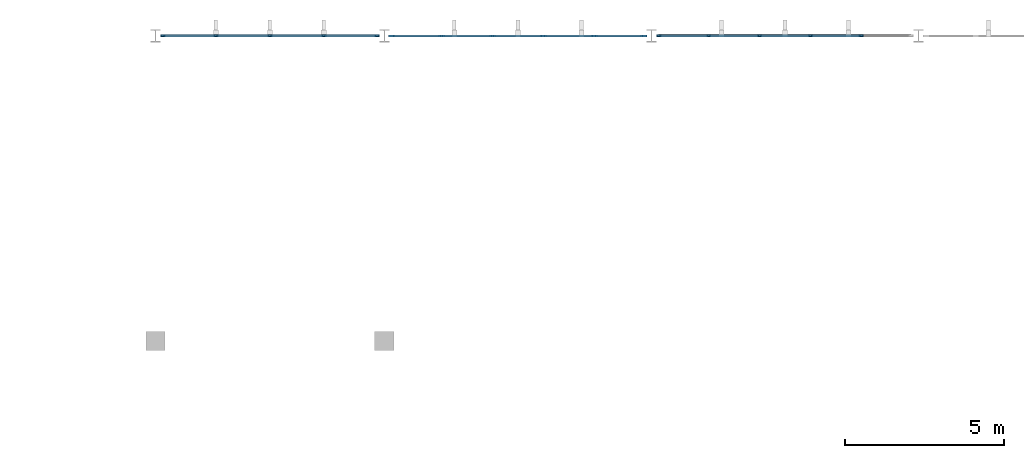
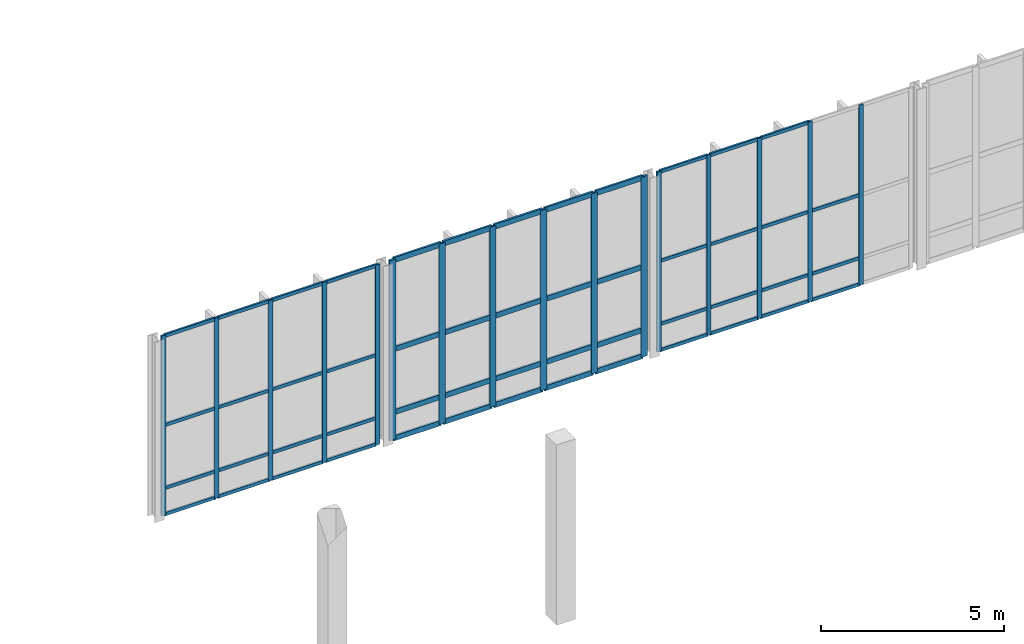
# One storey, part 51 of 105: 67 members, 3 elements without a shape of their own.
"""IFC4 building model written with IfcOpenShell, lengths in metres."""

import ifcopenshell
import ifcopenshell.guid

model = None  # the IFC model being written
_history = None  # IfcOwnerHistory: only IFC2X3 demands one
_inside = {}  # id of a spatial element -> (the spatial element, [elements in it])
_under = {}  # id of a project, library or spatial element -> (it, [spatial elements below it])
_declared = {}  # id of a project -> (the project, [libraries it declares])
_typed = {}  # id of a type object -> (the type object, [elements of that type])
_made_of = {}  # id of a material, layer set ... -> (it, [elements and type objects made of it])


def new_model(schema):
    """Start an empty IFC model of exactly this schema.

    Asked for "IFC4X3", IfcOpenShell would pick the latest addendum, in which some entities
    have other attributes; the version numbers below select the first issue.
    IFC2X3 requires an IfcOwnerHistory on every rooted entity: one is made here for all.
    """
    global model, _history
    if schema == "IFC4X3":
        model = ifcopenshell.file(schema_version=(4, 3, 0, 0))
    else:
        model = ifcopenshell.file(schema=schema)
    _inside.clear()
    _under.clear()
    _declared.clear()
    _typed.clear()
    _made_of.clear()
    _history = None
    if model.schema == "IFC2X3":
        org = make("IfcOrganization", Name="unknown")
        user = make(
            "IfcPersonAndOrganization",
            ThePerson=make("IfcPerson", FamilyName="unknown"),
            TheOrganization=org,
        )
        app = make(
            "IfcApplication",
            ApplicationDeveloper=org,
            Version="unknown",
            ApplicationFullName="unknown",
            ApplicationIdentifier="unknown",
        )
        _history = make(
            "IfcOwnerHistory",
            OwningUser=user,
            OwningApplication=app,
            ChangeAction="ADDED",
            CreationDate=0,
        )
    return model


def make(cls, **values):
    """One entity of the class cls with the attributes given. An attribute that is None is left unset."""
    return model.create_entity(
        cls, **{name: value for name, value in values.items() if value is not None}
    )


def rooted(cls, **values):
    """An entity with a GlobalId (a new one), such as an element, a storey or a relation."""
    return make(cls, GlobalId=ifcopenshell.guid.new(), OwnerHistory=_history, **values)


def si_unit(unit_type, name, prefix=None):
    """IfcSIUnit, for example si_unit("LENGTHUNIT", "METRE", prefix="MILLI")."""
    return make("IfcSIUnit", UnitType=unit_type, Prefix=prefix, Name=name)


def assignment(units):
    """IfcUnitAssignment: the units of a project."""
    return None if units is None else make("IfcUnitAssignment", Units=units)


def point(xyz):
    """IfcCartesianPoint."""
    return None if xyz is None else make("IfcCartesianPoint", Coordinates=xyz)


def direction(xyz):
    """IfcDirection."""
    return None if xyz is None else make("IfcDirection", DirectionRatios=xyz)


def frame(location, z_axis=None, x_axis=None):
    """IfcAxis2Placement3D, a coordinate frame: its origin and axes. An axis left out is left unset."""
    return make(
        "IfcAxis2Placement3D",
        Location=point(location),
        Axis=direction(z_axis),
        RefDirection=direction(x_axis),
    )


def frame_2d(location, x_axis=None):
    """IfcAxis2Placement2D, a coordinate frame in the plane: its origin and x axis."""
    return make(
        "IfcAxis2Placement2D", Location=point(location), RefDirection=direction(x_axis)
    )


def origin():
    """The frame at (0, 0, 0) with its axes left unset."""
    return frame((0.0, 0.0, 0.0))


def origin_2d():
    """The frame at (0, 0) in the plane with its x axis left unset."""
    return frame_2d((0.0, 0.0))


def place(relative_to, where):
    """IfcLocalPlacement: puts the frame where relative to a parent placement (None: the world)."""
    return make(
        "IfcLocalPlacement", PlacementRelTo=relative_to, RelativePlacement=where
    )


def context(
    kind, dimensions, precision=None, world=None, true_north=None, identifier=None
):
    """IfcGeometricRepresentationContext, for example the 3D "Model" context."""
    return make(
        "IfcGeometricRepresentationContext",
        ContextIdentifier=identifier,
        ContextType=kind,
        CoordinateSpaceDimension=dimensions,
        Precision=precision,
        WorldCoordinateSystem=world,
        TrueNorth=true_north,
    )


def subcontext(parent, identifier, kind, view, scale=None):
    """IfcGeometricRepresentationSubContext, for example "Body" below "Model"."""
    return make(
        "IfcGeometricRepresentationSubContext",
        ContextIdentifier=identifier,
        ContextType=kind,
        ParentContext=parent,
        TargetScale=scale,
        TargetView=view,
    )


def project(units=None, contexts=None):
    """IfcProject with its units and contexts."""
    return rooted(
        "IfcProject",
        Name="project",
        RepresentationContexts=contexts,
        UnitsInContext=assignment(units),
    )


def spatial(cls, under=None, at=None, **own):
    """A site, building, storey or space (cls), placed at a placement, below another one or the project."""
    s = rooted(cls, ObjectPlacement=at, **own)
    if under is not None:
        _under.setdefault(under.id(), (under, []))[1].append(s)
    return s


def profile(cls, at=None, kind="AREA", **sizes):
    """A parametric profile (cls). Its sizes go by their IFC names, for example OverallWidth=200.0."""
    return make(cls, ProfileType=kind, Position=at, **sizes)


def rectangle(**sizes):
    """IfcRectangleProfileDef."""
    return profile("IfcRectangleProfileDef", **sizes)


def extrude(swept, where, along, depth):
    """IfcExtrudedAreaSolid: the profile swept, set in the frame where, extruded along a direction by depth."""
    return make(
        "IfcExtrudedAreaSolid",
        SweptArea=swept,
        Position=where,
        ExtrudedDirection=direction(along),
        Depth=depth,
    )


def shape(context_of_items, identifier, shape_type, items):
    """IfcShapeRepresentation: the items that make up one representation, for example the "Body"."""
    return make(
        "IfcShapeRepresentation",
        ContextOfItems=context_of_items,
        RepresentationIdentifier=identifier,
        RepresentationType=shape_type,
        Items=items,
    )


def material(Name=None, Category=None):
    """IfcMaterial."""
    return make("IfcMaterial", Name=Name, Category=Category)


def material_profile(
    of_material, cross_section, Name=None, Category=None, Priority=None
):
    """IfcMaterialProfile: a cross section and its material."""
    return make(
        "IfcMaterialProfile",
        Name=Name,
        Material=of_material,
        Profile=cross_section,
        Priority=Priority,
        Category=Category,
    )


def profile_set(profiles, Name=None, composite=None):
    """IfcMaterialProfileSet."""
    return make(
        "IfcMaterialProfileSet",
        Name=Name,
        MaterialProfiles=profiles,
        CompositeProfile=composite,
    )


def made_of(thing, what):
    """Note that an element or type object is made of a material, layer set ...; save() writes the relation."""
    if what is not None:
        _made_of.setdefault(what.id(), (what, []))[1].append(thing)
    return thing


def type_object(cls, material=None, **own):
    """A type object (cls), such as IfcWallType, which elements share."""
    return made_of(rooted(cls, **own), material)


def element(
    cls,
    number,
    at=None,
    inside=None,
    cuts=None,
    type_object=None,
    material=None,
    context=None,
    identifier="Body",
    shape_type=None,
    held_by="IfcProductDefinitionShape",
    body=None,
    shapes=None,
    **own,
):
    """One element of the class cls, such as IfcWall. Its Tag is "e" and its number.

    at: its placement. inside: the storey or other place that contains it. cuts: it is an
    opening in that element (IfcRelVoidsElement). A single representation is given by context,
    identifier, shape_type and body (its items); several are given by shapes. held_by: the class
    of the entity that holds the representations. save() writes the other relations.
    """
    e = rooted(cls, Tag="e%d" % number, ObjectPlacement=at, **own)
    if body is not None:
        shapes = [shape(context, identifier, shape_type, body)]
    if shapes is not None:
        e.Representation = make(held_by, Representations=shapes)
    if inside is not None:
        _inside.setdefault(inside.id(), (inside, []))[1].append(e)
    if cuts is not None:
        rooted(
            "IfcRelVoidsElement", RelatingBuildingElement=cuts, RelatedOpeningElement=e
        )
    if type_object is not None:
        _typed.setdefault(type_object.id(), (type_object, []))[1].append(e)
    return made_of(e, material)


def aggregate(whole, parts):
    """IfcRelAggregates: a whole, such as a stair, and the parts it consists of."""
    return rooted("IfcRelAggregates", RelatingObject=whole, RelatedObjects=parts)


def save(model, path):
    """Write the relations noted so far, then the file.

    IfcRelAggregates (storeys below a building ...), IfcRelContainedInSpatialStructure (elements
    in a storey), IfcRelDefinesByType, IfcRelAssociatesMaterial and IfcRelDeclares: one each for
    every whole, place, type object, material and project.
    """
    for whole, parts in _under.values():
        aggregate(whole, parts)
    for where, things in _inside.values():
        rooted(
            "IfcRelContainedInSpatialStructure",
            RelatedElements=things,
            RelatingStructure=where,
        )
    for kind, things in _typed.values():
        rooted("IfcRelDefinesByType", RelatedObjects=things, RelatingType=kind)
    for what, things in _made_of.values():
        rooted("IfcRelAssociatesMaterial", RelatedObjects=things, RelatingMaterial=what)
    for by, libraries in _declared.values():
        rooted("IfcRelDeclares", RelatingContext=by, RelatedDefinitions=libraries)
    model.write(path)


model = new_model("IFC4")

# Units and contexts
model_context = context("Model", 3, precision=1e-05, world=origin(), true_north=direction((0.0, 1.0)))
body_context = subcontext(model_context, "Body", "Model", "MODEL_VIEW")
ifc_project = project(units=[si_unit("LENGTHUNIT", "METRE"), si_unit("AREAUNIT", "SQUARE_METRE"), si_unit("VOLUMEUNIT", "CUBIC_METRE"), si_unit("PLANEANGLEUNIT", "RADIAN"), si_unit("MASSUNIT", "GRAM", prefix="KILO")], contexts=[model_context])

# Site, building, storey
site_placement = place(None, origin())
site = spatial("IfcSite", under=ifc_project, at=site_placement, CompositionType="ELEMENT")
building_placement = place(site_placement, origin())
building = spatial("IfcBuilding", under=site, at=building_placement, Name="Tizgana Railside Sports Hall", CompositionType="ELEMENT")
storey_placement = place(building_placement, frame((0.0, 0.0, 6.0)))
storey = spatial("IfcBuildingStorey", under=building, at=storey_placement, Name="L01", CompositionType="ELEMENT", Elevation=6.0)

# Curtain wall, members
ifc_material_1 = material(Name="Anodised aluminium and glass", Category="aluminium")
curtain_wall_type_1 = type_object("IfcCurtainWallType", Name="Unitised Curtain Wall Studio 1400", PredefinedType="NOTDEFINED", material=ifc_material_1)
curtain_wall_1_placement = place(storey_placement, origin())
curtain_wall_1 = element("IfcCurtainWall", 1, at=curtain_wall_1_placement, inside=storey, type_object=curtain_wall_type_1, Name="L01 Curtain Wall CW-0042", PredefinedType="NOTDEFINED")
ifc_material_2 = material(Name="Anodised aluminium", Category="aluminium")
ifc_material_profile_1 = material_profile(ifc_material_2, rectangle(XDim=0.06005859375, YDim=0.139892578125, at=origin_2d()), Name="Mullion 60x140")
ifc_profile_set_1 = profile_set([ifc_material_profile_1], Name="Anodised aluminium")
member_type_1 = type_object("IfcMemberType", Name="Mullion 60x140", PredefinedType="MULLION", material=ifc_profile_set_1)
member_1_placement = place(storey_placement, frame((134.034912109375, 117.60009765625, 0.0), z_axis=(0.0, 0.0, 1.0), x_axis=(0.0, 1.0, 0.0)))
member_1 = element("IfcMember", 2, at=member_1_placement, type_object=member_type_1, Name="CW-03 mullion 1", PredefinedType="MULLION", context=body_context, shape_type="SweptSolid", body=[
    extrude(rectangle(XDim=0.06005859375, YDim=0.139892578125, at=origin_2d()), origin(), (0.0, 0.0, 1.0), 6.0),
])
member_2_placement = place(storey_placement, frame((135.702392578125, 117.60009765625, 0.0), z_axis=(0.0, 0.0, 1.0), x_axis=(0.0, 1.0, 0.0)))
member_2 = element("IfcMember", 3, at=member_2_placement, type_object=member_type_1, Name="CW-03 mullion 2", PredefinedType="MULLION", context=body_context, shape_type="SweptSolid", body=[
    extrude(rectangle(XDim=0.06005859375, YDim=0.139892578125, at=origin_2d()), origin(), (0.0, 0.0, 1.0), 6.0),
])
member_3_placement = place(storey_placement, frame((137.39990234375, 117.60009765625, 0.0), z_axis=(0.0, 0.0, 1.0), x_axis=(0.0, 1.0, 0.0)))
member_3 = element("IfcMember", 4, at=member_3_placement, type_object=member_type_1, Name="CW-03 mullion 3", PredefinedType="MULLION", context=body_context, shape_type="SweptSolid", body=[
    extrude(rectangle(XDim=0.06005859375, YDim=0.139892578125, at=origin_2d()), origin(), (0.0, 0.0, 1.0), 6.0),
])
member_4_placement = place(storey_placement, frame((139.097412109375, 117.60009765625, 0.0), z_axis=(0.0, 0.0, 1.0), x_axis=(0.0, 1.0, 0.0)))
member_4 = element("IfcMember", 5, at=member_4_placement, type_object=member_type_1, Name="CW-03 mullion 4", PredefinedType="MULLION", context=body_context, shape_type="SweptSolid", body=[
    extrude(rectangle(XDim=0.06005859375, YDim=0.139892578125, at=origin_2d()), origin(), (0.0, 0.0, 1.0), 6.0),
])
member_5_placement = place(storey_placement, frame((140.764892578125, 117.60009765625, 0.0), z_axis=(0.0, 0.0, 1.0), x_axis=(0.0, 1.0, 0.0)))
member_5 = element("IfcMember", 6, at=member_5_placement, type_object=member_type_1, Name="CW-03 mullion 5", PredefinedType="MULLION", context=body_context, shape_type="SweptSolid", body=[
    extrude(rectangle(XDim=0.06005859375, YDim=0.139892578125, at=origin_2d()), origin(), (0.0, 0.0, 1.0), 6.0),
])

curtain_wall_type_2 = type_object("IfcCurtainWallType", Name="Unitised Curtain Wall Concourse 1500", PredefinedType="NOTDEFINED", material=ifc_material_1)
curtain_wall_2_placement = place(storey_placement, origin())
curtain_wall_2 = element("IfcCurtainWall", 7, at=curtain_wall_2_placement, inside=storey, type_object=curtain_wall_type_2, Name="L01 Curtain Wall CW-0048", PredefinedType="NOTDEFINED")
member_6_placement = place(storey_placement, frame((149.635009765625, 117.60009765625, 0.0), z_axis=(0.0, 0.0, 1.0), x_axis=(0.0, 1.0, 0.0)))
member_6 = element("IfcMember", 8, at=member_6_placement, type_object=member_type_1, Name="CW-01 mullion 1", PredefinedType="MULLION", context=body_context, shape_type="SweptSolid", body=[
    extrude(rectangle(XDim=0.06005859375, YDim=0.139892578125, at=origin_2d()), origin(), (0.0, 0.0, 1.0), 6.0),
])
member_7_placement = place(storey_placement, frame((151.202880859375, 117.60009765625, 0.0), z_axis=(0.0, 0.0, 1.0), x_axis=(0.0, 1.0, 0.0)))
member_7 = element("IfcMember", 9, at=member_7_placement, type_object=member_type_1, Name="CW-01 mullion 2", PredefinedType="MULLION", context=body_context, shape_type="SweptSolid", body=[
    extrude(rectangle(XDim=0.06005859375, YDim=0.139892578125, at=origin_2d()), origin(), (0.0, 0.0, 1.0), 6.0),
])
member_8_placement = place(storey_placement, frame((152.801025390625, 117.60009765625, 0.0), z_axis=(0.0, 0.0, 1.0), x_axis=(0.0, 1.0, 0.0)))
member_8 = element("IfcMember", 10, at=member_8_placement, type_object=member_type_1, Name="CW-01 mullion 3", PredefinedType="MULLION", context=body_context, shape_type="SweptSolid", body=[
    extrude(rectangle(XDim=0.06005859375, YDim=0.139892578125, at=origin_2d()), origin(), (0.0, 0.0, 1.0), 6.0),
])
member_9_placement = place(storey_placement, frame((154.39892578125, 117.60009765625, 0.0), z_axis=(0.0, 0.0, 1.0), x_axis=(0.0, 1.0, 0.0)))
member_9 = element("IfcMember", 11, at=member_9_placement, type_object=member_type_1, Name="CW-01 mullion 4", PredefinedType="MULLION", context=body_context, shape_type="SweptSolid", body=[
    extrude(rectangle(XDim=0.06005859375, YDim=0.139892578125, at=origin_2d()), origin(), (0.0, 0.0, 1.0), 6.0),
])
member_10_placement = place(storey_placement, frame((155.9970703125, 117.60009765625, 0.0), z_axis=(0.0, 0.0, 1.0), x_axis=(0.0, 1.0, 0.0)))
member_10 = element("IfcMember", 12, at=member_10_placement, type_object=member_type_1, Name="CW-01 mullion 5", PredefinedType="MULLION", context=body_context, shape_type="SweptSolid", body=[
    extrude(rectangle(XDim=0.06005859375, YDim=0.139892578125, at=origin_2d()), origin(), (0.0, 0.0, 1.0), 6.0),
])

curtain_wall_type_3 = type_object("IfcCurtainWallType", Name="Unitised Curtain Wall Passage 1800", PredefinedType="NOTDEFINED", material=ifc_material_1)
curtain_wall_3_placement = place(storey_placement, origin())
curtain_wall_3 = element("IfcCurtainWall", 13, at=curtain_wall_3_placement, inside=storey, type_object=curtain_wall_type_3, Name="L01 Curtain Wall CW-0045", PredefinedType="NOTDEFINED")
ifc_material_profile_2 = material_profile(ifc_material_2, rectangle(XDim=0.06494140625, YDim=0.199951171875, at=origin_2d()), Name="Mullion 65x200")
ifc_profile_set_2 = profile_set([ifc_material_profile_2], Name="Anodised aluminium")
member_type_2 = type_object("IfcMemberType", Name="Mullion 65x200", PredefinedType="MULLION", material=ifc_profile_set_2)
member_11_placement = place(storey_placement, frame((141.237548828125, 117.60009765625, 0.0), z_axis=(0.0, 0.0, 1.0), x_axis=(0.0, 1.0, 0.0)))
member_11 = element("IfcMember", 14, at=member_11_placement, type_object=member_type_2, Name="CW-06 mullion 1", PredefinedType="MULLION", context=body_context, shape_type="SweptSolid", body=[
    extrude(rectangle(XDim=0.06494140625, YDim=0.199951171875, at=origin_2d()), origin(), (0.0, 0.0, 1.0), 6.0),
])
member_12_placement = place(storey_placement, frame((142.802978515625, 117.60009765625, 0.0), z_axis=(0.0, 0.0, 1.0), x_axis=(0.0, 1.0, 0.0)))
member_12 = element("IfcMember", 15, at=member_12_placement, type_object=member_type_2, Name="CW-06 mullion 2", PredefinedType="MULLION", context=body_context, shape_type="SweptSolid", body=[
    extrude(rectangle(XDim=0.06494140625, YDim=0.199951171875, at=origin_2d()), origin(), (0.0, 0.0, 1.0), 6.0),
])
member_13_placement = place(storey_placement, frame((144.40087890625, 117.60009765625, 0.0), z_axis=(0.0, 0.0, 1.0), x_axis=(0.0, 1.0, 0.0)))
member_13 = element("IfcMember", 16, at=member_13_placement, type_object=member_type_2, Name="CW-06 mullion 3", PredefinedType="MULLION", context=body_context, shape_type="SweptSolid", body=[
    extrude(rectangle(XDim=0.06494140625, YDim=0.199951171875, at=origin_2d()), origin(), (0.0, 0.0, 1.0), 6.0),
])
member_14_placement = place(storey_placement, frame((145.9990234375, 117.60009765625, 0.0), z_axis=(0.0, 0.0, 1.0), x_axis=(0.0, 1.0, 0.0)))
member_14 = element("IfcMember", 17, at=member_14_placement, type_object=member_type_2, Name="CW-06 mullion 4", PredefinedType="MULLION", context=body_context, shape_type="SweptSolid", body=[
    extrude(rectangle(XDim=0.06494140625, YDim=0.199951171875, at=origin_2d()), origin(), (0.0, 0.0, 1.0), 6.0),
])
member_15_placement = place(storey_placement, frame((147.596923828125, 117.60009765625, 0.0), z_axis=(0.0, 0.0, 1.0), x_axis=(0.0, 1.0, 0.0)))
member_15 = element("IfcMember", 18, at=member_15_placement, type_object=member_type_2, Name="CW-06 mullion 5", PredefinedType="MULLION", context=body_context, shape_type="SweptSolid", body=[
    extrude(rectangle(XDim=0.06494140625, YDim=0.199951171875, at=origin_2d()), origin(), (0.0, 0.0, 1.0), 6.0),
])
member_16_placement = place(storey_placement, frame((149.16259765625, 117.60009765625, 0.0), z_axis=(0.0, 0.0, 1.0), x_axis=(0.0, 1.0, 0.0)))
member_16 = element("IfcMember", 19, at=member_16_placement, type_object=member_type_2, Name="CW-06 mullion 6", PredefinedType="MULLION", context=body_context, shape_type="SweptSolid", body=[
    extrude(rectangle(XDim=0.06494140625, YDim=0.199951171875, at=origin_2d()), origin(), (0.0, 0.0, 1.0), 6.0),
])

# Member
ifc_material_profile_3 = material_profile(ifc_material_2, rectangle(XDim=0.06005859375, YDim=0.110107421875, at=origin_2d()), Name="Transom 60x110")
ifc_profile_set_3 = profile_set([ifc_material_profile_3], Name="Anodised aluminium")
member_type_3 = type_object("IfcMemberType", Name="Transom 60x110", PredefinedType="USERDEFINED", material=ifc_profile_set_3)
member_17_placement = place(storey_placement, frame((134.06494140625, 117.60009765625, 0.030029296875), z_axis=(1.0, 0.0, 0.0), x_axis=(0.0, 1.0, 0.0)))
member_17 = element("IfcMember", 20, at=member_17_placement, type_object=member_type_3, Name="CW-03 transom 1.1", ObjectType="TRANSOM", PredefinedType="USERDEFINED", context=body_context, shape_type="SweptSolid", body=[
    extrude(rectangle(XDim=0.06005859375, YDim=0.110107421875, at=origin_2d()), origin(), (0.0, 0.0, 1.0), 1.607666015625),
])

member_18_placement = place(storey_placement, frame((134.06494140625, 117.60009765625, 0.89990234375), z_axis=(1.0, 0.0, 0.0), x_axis=(0.0, 1.0, 0.0)))
member_18 = element("IfcMember", 21, at=member_18_placement, type_object=member_type_3, Name="CW-03 transom 1.2", ObjectType="TRANSOM", PredefinedType="USERDEFINED", context=body_context, shape_type="SweptSolid", body=[
    extrude(rectangle(XDim=0.06005859375, YDim=0.110107421875, at=origin_2d()), origin(), (0.0, 0.0, 1.0), 1.607666015625),
])

member_19_placement = place(storey_placement, frame((134.06494140625, 117.60009765625, 3.0), z_axis=(1.0, 0.0, 0.0), x_axis=(0.0, 1.0, 0.0)))
member_19 = element("IfcMember", 22, at=member_19_placement, type_object=member_type_3, Name="CW-03 transom 1.3", ObjectType="TRANSOM", PredefinedType="USERDEFINED", context=body_context, shape_type="SweptSolid", body=[
    extrude(rectangle(XDim=0.06005859375, YDim=0.110107421875, at=origin_2d()), origin(), (0.0, 0.0, 1.0), 1.607666015625),
])

member_20_placement = place(storey_placement, frame((134.06494140625, 117.60009765625, 5.969970703125), z_axis=(1.0, 0.0, 0.0), x_axis=(0.0, 1.0, 0.0)))
member_20 = element("IfcMember", 23, at=member_20_placement, type_object=member_type_3, Name="CW-03 transom 1.4", ObjectType="TRANSOM", PredefinedType="USERDEFINED", context=body_context, shape_type="SweptSolid", body=[
    extrude(rectangle(XDim=0.06005859375, YDim=0.110107421875, at=origin_2d()), origin(), (0.0, 0.0, 1.0), 1.607666015625),
])

member_21_placement = place(storey_placement, frame((135.732421875, 117.60009765625, 0.030029296875), z_axis=(1.0, 0.0, 0.0), x_axis=(0.0, 1.0, 0.0)))
member_21 = element("IfcMember", 24, at=member_21_placement, type_object=member_type_3, Name="CW-03 transom 2.1", ObjectType="TRANSOM", PredefinedType="USERDEFINED", context=body_context, shape_type="SweptSolid", body=[
    extrude(rectangle(XDim=0.06005859375, YDim=0.110107421875, at=origin_2d()), origin(), (0.0, 0.0, 1.0), 1.6376953125),
])

member_22_placement = place(storey_placement, frame((135.732421875, 117.60009765625, 0.89990234375), z_axis=(1.0, 0.0, 0.0), x_axis=(0.0, 1.0, 0.0)))
member_22 = element("IfcMember", 25, at=member_22_placement, type_object=member_type_3, Name="CW-03 transom 2.2", ObjectType="TRANSOM", PredefinedType="USERDEFINED", context=body_context, shape_type="SweptSolid", body=[
    extrude(rectangle(XDim=0.06005859375, YDim=0.110107421875, at=origin_2d()), origin(), (0.0, 0.0, 1.0), 1.6376953125),
])

member_23_placement = place(storey_placement, frame((135.732421875, 117.60009765625, 3.0), z_axis=(1.0, 0.0, 0.0), x_axis=(0.0, 1.0, 0.0)))
member_23 = element("IfcMember", 26, at=member_23_placement, type_object=member_type_3, Name="CW-03 transom 2.3", ObjectType="TRANSOM", PredefinedType="USERDEFINED", context=body_context, shape_type="SweptSolid", body=[
    extrude(rectangle(XDim=0.06005859375, YDim=0.110107421875, at=origin_2d()), origin(), (0.0, 0.0, 1.0), 1.6376953125),
])

member_24_placement = place(storey_placement, frame((135.732421875, 117.60009765625, 5.969970703125), z_axis=(1.0, 0.0, 0.0), x_axis=(0.0, 1.0, 0.0)))
member_24 = element("IfcMember", 27, at=member_24_placement, type_object=member_type_3, Name="CW-03 transom 2.4", ObjectType="TRANSOM", PredefinedType="USERDEFINED", context=body_context, shape_type="SweptSolid", body=[
    extrude(rectangle(XDim=0.06005859375, YDim=0.110107421875, at=origin_2d()), origin(), (0.0, 0.0, 1.0), 1.6376953125),
])

member_25_placement = place(storey_placement, frame((137.429931640625, 117.60009765625, 0.030029296875), z_axis=(1.0, 0.0, 0.0), x_axis=(0.0, 1.0, 0.0)))
member_25 = element("IfcMember", 28, at=member_25_placement, type_object=member_type_3, Name="CW-03 transom 3.1", ObjectType="TRANSOM", PredefinedType="USERDEFINED", context=body_context, shape_type="SweptSolid", body=[
    extrude(rectangle(XDim=0.06005859375, YDim=0.110107421875, at=origin_2d()), origin(), (0.0, 0.0, 1.0), 1.637451171875),
])

member_26_placement = place(storey_placement, frame((137.429931640625, 117.60009765625, 0.89990234375), z_axis=(1.0, 0.0, 0.0), x_axis=(0.0, 1.0, 0.0)))
member_26 = element("IfcMember", 29, at=member_26_placement, type_object=member_type_3, Name="CW-03 transom 3.2", ObjectType="TRANSOM", PredefinedType="USERDEFINED", context=body_context, shape_type="SweptSolid", body=[
    extrude(rectangle(XDim=0.06005859375, YDim=0.110107421875, at=origin_2d()), origin(), (0.0, 0.0, 1.0), 1.637451171875),
])

member_27_placement = place(storey_placement, frame((137.429931640625, 117.60009765625, 3.0), z_axis=(1.0, 0.0, 0.0), x_axis=(0.0, 1.0, 0.0)))
member_27 = element("IfcMember", 30, at=member_27_placement, type_object=member_type_3, Name="CW-03 transom 3.3", ObjectType="TRANSOM", PredefinedType="USERDEFINED", context=body_context, shape_type="SweptSolid", body=[
    extrude(rectangle(XDim=0.06005859375, YDim=0.110107421875, at=origin_2d()), origin(), (0.0, 0.0, 1.0), 1.637451171875),
])

member_28_placement = place(storey_placement, frame((137.429931640625, 117.60009765625, 5.969970703125), z_axis=(1.0, 0.0, 0.0), x_axis=(0.0, 1.0, 0.0)))
member_28 = element("IfcMember", 31, at=member_28_placement, type_object=member_type_3, Name="CW-03 transom 3.4", ObjectType="TRANSOM", PredefinedType="USERDEFINED", context=body_context, shape_type="SweptSolid", body=[
    extrude(rectangle(XDim=0.06005859375, YDim=0.110107421875, at=origin_2d()), origin(), (0.0, 0.0, 1.0), 1.637451171875),
])

member_29_placement = place(storey_placement, frame((139.12744140625, 117.60009765625, 0.030029296875), z_axis=(1.0, 0.0, 0.0), x_axis=(0.0, 1.0, 0.0)))
member_29 = element("IfcMember", 32, at=member_29_placement, type_object=member_type_3, Name="CW-03 transom 4.1", ObjectType="TRANSOM", PredefinedType="USERDEFINED", context=body_context, shape_type="SweptSolid", body=[
    extrude(rectangle(XDim=0.06005859375, YDim=0.110107421875, at=origin_2d()), origin(), (0.0, 0.0, 1.0), 1.607666015625),
])

member_30_placement = place(storey_placement, frame((139.12744140625, 117.60009765625, 0.89990234375), z_axis=(1.0, 0.0, 0.0), x_axis=(0.0, 1.0, 0.0)))
member_30 = element("IfcMember", 33, at=member_30_placement, type_object=member_type_3, Name="CW-03 transom 4.2", ObjectType="TRANSOM", PredefinedType="USERDEFINED", context=body_context, shape_type="SweptSolid", body=[
    extrude(rectangle(XDim=0.06005859375, YDim=0.110107421875, at=origin_2d()), origin(), (0.0, 0.0, 1.0), 1.607666015625),
])

member_31_placement = place(storey_placement, frame((139.12744140625, 117.60009765625, 3.0), z_axis=(1.0, 0.0, 0.0), x_axis=(0.0, 1.0, 0.0)))
member_31 = element("IfcMember", 34, at=member_31_placement, type_object=member_type_3, Name="CW-03 transom 4.3", ObjectType="TRANSOM", PredefinedType="USERDEFINED", context=body_context, shape_type="SweptSolid", body=[
    extrude(rectangle(XDim=0.06005859375, YDim=0.110107421875, at=origin_2d()), origin(), (0.0, 0.0, 1.0), 1.607666015625),
])

member_32_placement = place(storey_placement, frame((139.12744140625, 117.60009765625, 5.969970703125), z_axis=(1.0, 0.0, 0.0), x_axis=(0.0, 1.0, 0.0)))
member_32 = element("IfcMember", 35, at=member_32_placement, type_object=member_type_3, Name="CW-03 transom 4.4", ObjectType="TRANSOM", PredefinedType="USERDEFINED", context=body_context, shape_type="SweptSolid", body=[
    extrude(rectangle(XDim=0.06005859375, YDim=0.110107421875, at=origin_2d()), origin(), (0.0, 0.0, 1.0), 1.607666015625),
])

aggregate(curtain_wall_1, [member_1, member_2, member_3, member_4, member_5, member_17, member_18, member_19, member_20, member_21, member_22, member_23, member_24, member_25, member_26, member_27, member_28, member_29, member_30, member_31, member_32])

member_33_placement = place(storey_placement, frame((149.6650390625, 117.60009765625, 0.030029296875), z_axis=(1.0, 0.0, 0.0), x_axis=(0.0, 1.0, 0.0)))
member_33 = element("IfcMember", 36, at=member_33_placement, type_object=member_type_3, Name="CW-01 transom 1.1", ObjectType="TRANSOM", PredefinedType="USERDEFINED", context=body_context, shape_type="SweptSolid", body=[
    extrude(rectangle(XDim=0.06005859375, YDim=0.110107421875, at=origin_2d()), origin(), (0.0, 0.0, 1.0), 1.508056640625),
])

member_34_placement = place(storey_placement, frame((149.6650390625, 117.60009765625, 0.89990234375), z_axis=(1.0, 0.0, 0.0), x_axis=(0.0, 1.0, 0.0)))
member_34 = element("IfcMember", 37, at=member_34_placement, type_object=member_type_3, Name="CW-01 transom 1.2", ObjectType="TRANSOM", PredefinedType="USERDEFINED", context=body_context, shape_type="SweptSolid", body=[
    extrude(rectangle(XDim=0.06005859375, YDim=0.110107421875, at=origin_2d()), origin(), (0.0, 0.0, 1.0), 1.508056640625),
])

member_35_placement = place(storey_placement, frame((149.6650390625, 117.60009765625, 3.0), z_axis=(1.0, 0.0, 0.0), x_axis=(0.0, 1.0, 0.0)))
member_35 = element("IfcMember", 38, at=member_35_placement, type_object=member_type_3, Name="CW-01 transom 1.3", ObjectType="TRANSOM", PredefinedType="USERDEFINED", context=body_context, shape_type="SweptSolid", body=[
    extrude(rectangle(XDim=0.06005859375, YDim=0.110107421875, at=origin_2d()), origin(), (0.0, 0.0, 1.0), 1.508056640625),
])

member_36_placement = place(storey_placement, frame((149.6650390625, 117.60009765625, 5.969970703125), z_axis=(1.0, 0.0, 0.0), x_axis=(0.0, 1.0, 0.0)))
member_36 = element("IfcMember", 39, at=member_36_placement, type_object=member_type_3, Name="CW-01 transom 1.4", ObjectType="TRANSOM", PredefinedType="USERDEFINED", context=body_context, shape_type="SweptSolid", body=[
    extrude(rectangle(XDim=0.06005859375, YDim=0.110107421875, at=origin_2d()), origin(), (0.0, 0.0, 1.0), 1.508056640625),
])

member_37_placement = place(storey_placement, frame((151.23291015625, 117.60009765625, 0.030029296875), z_axis=(1.0, 0.0, 0.0), x_axis=(0.0, 1.0, 0.0)))
member_37 = element("IfcMember", 40, at=member_37_placement, type_object=member_type_3, Name="CW-01 transom 2.1", ObjectType="TRANSOM", PredefinedType="USERDEFINED", context=body_context, shape_type="SweptSolid", body=[
    extrude(rectangle(XDim=0.06005859375, YDim=0.110107421875, at=origin_2d()), origin(), (0.0, 0.0, 1.0), 1.5380859375),
])

member_38_placement = place(storey_placement, frame((151.23291015625, 117.60009765625, 0.89990234375), z_axis=(1.0, 0.0, 0.0), x_axis=(0.0, 1.0, 0.0)))
member_38 = element("IfcMember", 41, at=member_38_placement, type_object=member_type_3, Name="CW-01 transom 2.2", ObjectType="TRANSOM", PredefinedType="USERDEFINED", context=body_context, shape_type="SweptSolid", body=[
    extrude(rectangle(XDim=0.06005859375, YDim=0.110107421875, at=origin_2d()), origin(), (0.0, 0.0, 1.0), 1.5380859375),
])

member_39_placement = place(storey_placement, frame((151.23291015625, 117.60009765625, 3.0), z_axis=(1.0, 0.0, 0.0), x_axis=(0.0, 1.0, 0.0)))
member_39 = element("IfcMember", 42, at=member_39_placement, type_object=member_type_3, Name="CW-01 transom 2.3", ObjectType="TRANSOM", PredefinedType="USERDEFINED", context=body_context, shape_type="SweptSolid", body=[
    extrude(rectangle(XDim=0.06005859375, YDim=0.110107421875, at=origin_2d()), origin(), (0.0, 0.0, 1.0), 1.5380859375),
])

member_40_placement = place(storey_placement, frame((151.23291015625, 117.60009765625, 5.969970703125), z_axis=(1.0, 0.0, 0.0), x_axis=(0.0, 1.0, 0.0)))
member_40 = element("IfcMember", 43, at=member_40_placement, type_object=member_type_3, Name="CW-01 transom 2.4", ObjectType="TRANSOM", PredefinedType="USERDEFINED", context=body_context, shape_type="SweptSolid", body=[
    extrude(rectangle(XDim=0.06005859375, YDim=0.110107421875, at=origin_2d()), origin(), (0.0, 0.0, 1.0), 1.5380859375),
])

member_41_placement = place(storey_placement, frame((152.8310546875, 117.60009765625, 0.030029296875), z_axis=(1.0, 0.0, 0.0), x_axis=(0.0, 1.0, 0.0)))
member_41 = element("IfcMember", 44, at=member_41_placement, type_object=member_type_3, Name="CW-01 transom 3.1", ObjectType="TRANSOM", PredefinedType="USERDEFINED", context=body_context, shape_type="SweptSolid", body=[
    extrude(rectangle(XDim=0.06005859375, YDim=0.110107421875, at=origin_2d()), origin(), (0.0, 0.0, 1.0), 1.537841796875),
])

member_42_placement = place(storey_placement, frame((152.8310546875, 117.60009765625, 0.89990234375), z_axis=(1.0, 0.0, 0.0), x_axis=(0.0, 1.0, 0.0)))
member_42 = element("IfcMember", 45, at=member_42_placement, type_object=member_type_3, Name="CW-01 transom 3.2", ObjectType="TRANSOM", PredefinedType="USERDEFINED", context=body_context, shape_type="SweptSolid", body=[
    extrude(rectangle(XDim=0.06005859375, YDim=0.110107421875, at=origin_2d()), origin(), (0.0, 0.0, 1.0), 1.537841796875),
])

member_43_placement = place(storey_placement, frame((152.8310546875, 117.60009765625, 3.0), z_axis=(1.0, 0.0, 0.0), x_axis=(0.0, 1.0, 0.0)))
member_43 = element("IfcMember", 46, at=member_43_placement, type_object=member_type_3, Name="CW-01 transom 3.3", ObjectType="TRANSOM", PredefinedType="USERDEFINED", context=body_context, shape_type="SweptSolid", body=[
    extrude(rectangle(XDim=0.06005859375, YDim=0.110107421875, at=origin_2d()), origin(), (0.0, 0.0, 1.0), 1.537841796875),
])

member_44_placement = place(storey_placement, frame((152.8310546875, 117.60009765625, 5.969970703125), z_axis=(1.0, 0.0, 0.0), x_axis=(0.0, 1.0, 0.0)))
member_44 = element("IfcMember", 47, at=member_44_placement, type_object=member_type_3, Name="CW-01 transom 3.4", ObjectType="TRANSOM", PredefinedType="USERDEFINED", context=body_context, shape_type="SweptSolid", body=[
    extrude(rectangle(XDim=0.06005859375, YDim=0.110107421875, at=origin_2d()), origin(), (0.0, 0.0, 1.0), 1.537841796875),
])

member_45_placement = place(storey_placement, frame((154.428955078125, 117.60009765625, 0.030029296875), z_axis=(1.0, 0.0, 0.0), x_axis=(0.0, 1.0, 0.0)))
member_45 = element("IfcMember", 48, at=member_45_placement, type_object=member_type_3, Name="CW-01 transom 4.1", ObjectType="TRANSOM", PredefinedType="USERDEFINED", context=body_context, shape_type="SweptSolid", body=[
    extrude(rectangle(XDim=0.06005859375, YDim=0.110107421875, at=origin_2d()), origin(), (0.0, 0.0, 1.0), 1.5380859375),
])

member_46_placement = place(storey_placement, frame((154.428955078125, 117.60009765625, 0.89990234375), z_axis=(1.0, 0.0, 0.0), x_axis=(0.0, 1.0, 0.0)))
member_46 = element("IfcMember", 49, at=member_46_placement, type_object=member_type_3, Name="CW-01 transom 4.2", ObjectType="TRANSOM", PredefinedType="USERDEFINED", context=body_context, shape_type="SweptSolid", body=[
    extrude(rectangle(XDim=0.06005859375, YDim=0.110107421875, at=origin_2d()), origin(), (0.0, 0.0, 1.0), 1.5380859375),
])

member_47_placement = place(storey_placement, frame((154.428955078125, 117.60009765625, 3.0), z_axis=(1.0, 0.0, 0.0), x_axis=(0.0, 1.0, 0.0)))
member_47 = element("IfcMember", 50, at=member_47_placement, type_object=member_type_3, Name="CW-01 transom 4.3", ObjectType="TRANSOM", PredefinedType="USERDEFINED", context=body_context, shape_type="SweptSolid", body=[
    extrude(rectangle(XDim=0.06005859375, YDim=0.110107421875, at=origin_2d()), origin(), (0.0, 0.0, 1.0), 1.5380859375),
])

aggregate(curtain_wall_2, [member_6, member_7, member_8, member_9, member_10, member_33, member_34, member_35, member_36, member_37, member_38, member_39, member_40, member_41, member_42, member_43, member_44, member_45, member_46, member_47])

ifc_material_profile_4 = material_profile(ifc_material_2, rectangle(XDim=0.06494140625, YDim=0.169921875, at=origin_2d()), Name="Transom 65x170")
ifc_profile_set_4 = profile_set([ifc_material_profile_4], Name="Anodised aluminium")
member_type_4 = type_object("IfcMemberType", Name="Transom 65x170", PredefinedType="USERDEFINED", material=ifc_profile_set_4)
member_48_placement = place(storey_placement, frame((141.27001953125, 117.60009765625, 0.032470703125), z_axis=(1.0, 0.0, 0.0), x_axis=(0.0, 1.0, 0.0)))
member_48 = element("IfcMember", 51, at=member_48_placement, type_object=member_type_4, Name="CW-06 transom 1.1", ObjectType="TRANSOM", PredefinedType="USERDEFINED", context=body_context, shape_type="SweptSolid", body=[
    extrude(rectangle(XDim=0.06494140625, YDim=0.169921875, at=origin_2d()), origin(), (0.0, 0.0, 1.0), 1.50048828125),
])

member_49_placement = place(storey_placement, frame((141.27001953125, 117.60009765625, 0.89990234375), z_axis=(1.0, 0.0, 0.0), x_axis=(0.0, 1.0, 0.0)))
member_49 = element("IfcMember", 52, at=member_49_placement, type_object=member_type_4, Name="CW-06 transom 1.2", ObjectType="TRANSOM", PredefinedType="USERDEFINED", context=body_context, shape_type="SweptSolid", body=[
    extrude(rectangle(XDim=0.06494140625, YDim=0.169921875, at=origin_2d()), origin(), (0.0, 0.0, 1.0), 1.50048828125),
])

member_50_placement = place(storey_placement, frame((141.27001953125, 117.60009765625, 3.0), z_axis=(1.0, 0.0, 0.0), x_axis=(0.0, 1.0, 0.0)))
member_50 = element("IfcMember", 53, at=member_50_placement, type_object=member_type_4, Name="CW-06 transom 1.3", ObjectType="TRANSOM", PredefinedType="USERDEFINED", context=body_context, shape_type="SweptSolid", body=[
    extrude(rectangle(XDim=0.06494140625, YDim=0.169921875, at=origin_2d()), origin(), (0.0, 0.0, 1.0), 1.50048828125),
])

member_51_placement = place(storey_placement, frame((141.27001953125, 117.60009765625, 5.967529296875), z_axis=(1.0, 0.0, 0.0), x_axis=(0.0, 1.0, 0.0)))
member_51 = element("IfcMember", 54, at=member_51_placement, type_object=member_type_4, Name="CW-06 transom 1.4", ObjectType="TRANSOM", PredefinedType="USERDEFINED", context=body_context, shape_type="SweptSolid", body=[
    extrude(rectangle(XDim=0.06494140625, YDim=0.169921875, at=origin_2d()), origin(), (0.0, 0.0, 1.0), 1.50048828125),
])

member_52_placement = place(storey_placement, frame((142.83544921875, 117.60009765625, 0.032470703125), z_axis=(1.0, 0.0, 0.0), x_axis=(0.0, 1.0, 0.0)))
member_52 = element("IfcMember", 55, at=member_52_placement, type_object=member_type_4, Name="CW-06 transom 2.1", ObjectType="TRANSOM", PredefinedType="USERDEFINED", context=body_context, shape_type="SweptSolid", body=[
    extrude(rectangle(XDim=0.06494140625, YDim=0.169921875, at=origin_2d()), origin(), (0.0, 0.0, 1.0), 1.532958984375),
])

member_53_placement = place(storey_placement, frame((142.83544921875, 117.60009765625, 0.89990234375), z_axis=(1.0, 0.0, 0.0), x_axis=(0.0, 1.0, 0.0)))
member_53 = element("IfcMember", 56, at=member_53_placement, type_object=member_type_4, Name="CW-06 transom 2.2", ObjectType="TRANSOM", PredefinedType="USERDEFINED", context=body_context, shape_type="SweptSolid", body=[
    extrude(rectangle(XDim=0.06494140625, YDim=0.169921875, at=origin_2d()), origin(), (0.0, 0.0, 1.0), 1.532958984375),
])

member_54_placement = place(storey_placement, frame((142.83544921875, 117.60009765625, 3.0), z_axis=(1.0, 0.0, 0.0), x_axis=(0.0, 1.0, 0.0)))
member_54 = element("IfcMember", 57, at=member_54_placement, type_object=member_type_4, Name="CW-06 transom 2.3", ObjectType="TRANSOM", PredefinedType="USERDEFINED", context=body_context, shape_type="SweptSolid", body=[
    extrude(rectangle(XDim=0.06494140625, YDim=0.169921875, at=origin_2d()), origin(), (0.0, 0.0, 1.0), 1.532958984375),
])

member_55_placement = place(storey_placement, frame((142.83544921875, 117.60009765625, 5.967529296875), z_axis=(1.0, 0.0, 0.0), x_axis=(0.0, 1.0, 0.0)))
member_55 = element("IfcMember", 58, at=member_55_placement, type_object=member_type_4, Name="CW-06 transom 2.4", ObjectType="TRANSOM", PredefinedType="USERDEFINED", context=body_context, shape_type="SweptSolid", body=[
    extrude(rectangle(XDim=0.06494140625, YDim=0.169921875, at=origin_2d()), origin(), (0.0, 0.0, 1.0), 1.532958984375),
])

member_56_placement = place(storey_placement, frame((144.43359375, 117.60009765625, 0.032470703125), z_axis=(1.0, 0.0, 0.0), x_axis=(0.0, 1.0, 0.0)))
member_56 = element("IfcMember", 59, at=member_56_placement, type_object=member_type_4, Name="CW-06 transom 3.1", ObjectType="TRANSOM", PredefinedType="USERDEFINED", context=body_context, shape_type="SweptSolid", body=[
    extrude(rectangle(XDim=0.06494140625, YDim=0.169921875, at=origin_2d()), origin(), (0.0, 0.0, 1.0), 1.532958984375),
])

member_57_placement = place(storey_placement, frame((144.43359375, 117.60009765625, 0.89990234375), z_axis=(1.0, 0.0, 0.0), x_axis=(0.0, 1.0, 0.0)))
member_57 = element("IfcMember", 60, at=member_57_placement, type_object=member_type_4, Name="CW-06 transom 3.2", ObjectType="TRANSOM", PredefinedType="USERDEFINED", context=body_context, shape_type="SweptSolid", body=[
    extrude(rectangle(XDim=0.06494140625, YDim=0.169921875, at=origin_2d()), origin(), (0.0, 0.0, 1.0), 1.532958984375),
])

member_58_placement = place(storey_placement, frame((144.43359375, 117.60009765625, 3.0), z_axis=(1.0, 0.0, 0.0), x_axis=(0.0, 1.0, 0.0)))
member_58 = element("IfcMember", 61, at=member_58_placement, type_object=member_type_4, Name="CW-06 transom 3.3", ObjectType="TRANSOM", PredefinedType="USERDEFINED", context=body_context, shape_type="SweptSolid", body=[
    extrude(rectangle(XDim=0.06494140625, YDim=0.169921875, at=origin_2d()), origin(), (0.0, 0.0, 1.0), 1.532958984375),
])

member_59_placement = place(storey_placement, frame((144.43359375, 117.60009765625, 5.967529296875), z_axis=(1.0, 0.0, 0.0), x_axis=(0.0, 1.0, 0.0)))
member_59 = element("IfcMember", 62, at=member_59_placement, type_object=member_type_4, Name="CW-06 transom 3.4", ObjectType="TRANSOM", PredefinedType="USERDEFINED", context=body_context, shape_type="SweptSolid", body=[
    extrude(rectangle(XDim=0.06494140625, YDim=0.169921875, at=origin_2d()), origin(), (0.0, 0.0, 1.0), 1.532958984375),
])

member_60_placement = place(storey_placement, frame((146.031494140625, 117.60009765625, 0.032470703125), z_axis=(1.0, 0.0, 0.0), x_axis=(0.0, 1.0, 0.0)))
member_60 = element("IfcMember", 63, at=member_60_placement, type_object=member_type_4, Name="CW-06 transom 4.1", ObjectType="TRANSOM", PredefinedType="USERDEFINED", context=body_context, shape_type="SweptSolid", body=[
    extrude(rectangle(XDim=0.06494140625, YDim=0.169921875, at=origin_2d()), origin(), (0.0, 0.0, 1.0), 1.532958984375),
])

member_61_placement = place(storey_placement, frame((146.031494140625, 117.60009765625, 0.89990234375), z_axis=(1.0, 0.0, 0.0), x_axis=(0.0, 1.0, 0.0)))
member_61 = element("IfcMember", 64, at=member_61_placement, type_object=member_type_4, Name="CW-06 transom 4.2", ObjectType="TRANSOM", PredefinedType="USERDEFINED", context=body_context, shape_type="SweptSolid", body=[
    extrude(rectangle(XDim=0.06494140625, YDim=0.169921875, at=origin_2d()), origin(), (0.0, 0.0, 1.0), 1.532958984375),
])

member_62_placement = place(storey_placement, frame((146.031494140625, 117.60009765625, 3.0), z_axis=(1.0, 0.0, 0.0), x_axis=(0.0, 1.0, 0.0)))
member_62 = element("IfcMember", 65, at=member_62_placement, type_object=member_type_4, Name="CW-06 transom 4.3", ObjectType="TRANSOM", PredefinedType="USERDEFINED", context=body_context, shape_type="SweptSolid", body=[
    extrude(rectangle(XDim=0.06494140625, YDim=0.169921875, at=origin_2d()), origin(), (0.0, 0.0, 1.0), 1.532958984375),
])

member_63_placement = place(storey_placement, frame((146.031494140625, 117.60009765625, 5.967529296875), z_axis=(1.0, 0.0, 0.0), x_axis=(0.0, 1.0, 0.0)))
member_63 = element("IfcMember", 66, at=member_63_placement, type_object=member_type_4, Name="CW-06 transom 4.4", ObjectType="TRANSOM", PredefinedType="USERDEFINED", context=body_context, shape_type="SweptSolid", body=[
    extrude(rectangle(XDim=0.06494140625, YDim=0.169921875, at=origin_2d()), origin(), (0.0, 0.0, 1.0), 1.532958984375),
])

member_64_placement = place(storey_placement, frame((147.62939453125, 117.60009765625, 0.032470703125), z_axis=(1.0, 0.0, 0.0), x_axis=(0.0, 1.0, 0.0)))
member_64 = element("IfcMember", 67, at=member_64_placement, type_object=member_type_4, Name="CW-06 transom 5.1", ObjectType="TRANSOM", PredefinedType="USERDEFINED", context=body_context, shape_type="SweptSolid", body=[
    extrude(rectangle(XDim=0.06494140625, YDim=0.169921875, at=origin_2d()), origin(), (0.0, 0.0, 1.0), 1.50048828125),
])

member_65_placement = place(storey_placement, frame((147.62939453125, 117.60009765625, 0.89990234375), z_axis=(1.0, 0.0, 0.0), x_axis=(0.0, 1.0, 0.0)))
member_65 = element("IfcMember", 68, at=member_65_placement, type_object=member_type_4, Name="CW-06 transom 5.2", ObjectType="TRANSOM", PredefinedType="USERDEFINED", context=body_context, shape_type="SweptSolid", body=[
    extrude(rectangle(XDim=0.06494140625, YDim=0.169921875, at=origin_2d()), origin(), (0.0, 0.0, 1.0), 1.50048828125),
])

member_66_placement = place(storey_placement, frame((147.62939453125, 117.60009765625, 3.0), z_axis=(1.0, 0.0, 0.0), x_axis=(0.0, 1.0, 0.0)))
member_66 = element("IfcMember", 69, at=member_66_placement, type_object=member_type_4, Name="CW-06 transom 5.3", ObjectType="TRANSOM", PredefinedType="USERDEFINED", context=body_context, shape_type="SweptSolid", body=[
    extrude(rectangle(XDim=0.06494140625, YDim=0.169921875, at=origin_2d()), origin(), (0.0, 0.0, 1.0), 1.50048828125),
])

member_67_placement = place(storey_placement, frame((147.62939453125, 117.60009765625, 5.967529296875), z_axis=(1.0, 0.0, 0.0), x_axis=(0.0, 1.0, 0.0)))
member_67 = element("IfcMember", 70, at=member_67_placement, type_object=member_type_4, Name="CW-06 transom 5.4", ObjectType="TRANSOM", PredefinedType="USERDEFINED", context=body_context, shape_type="SweptSolid", body=[
    extrude(rectangle(XDim=0.06494140625, YDim=0.169921875, at=origin_2d()), origin(), (0.0, 0.0, 1.0), 1.50048828125),
])

aggregate(curtain_wall_3, [member_11, member_12, member_13, member_14, member_15, member_16, member_48, member_49, member_50, member_51, member_52, member_53, member_54, member_55, member_56, member_57, member_58, member_59, member_60, member_61, member_62, member_63, member_64, member_65, member_66, member_67])

save(model, "model.ifc")
